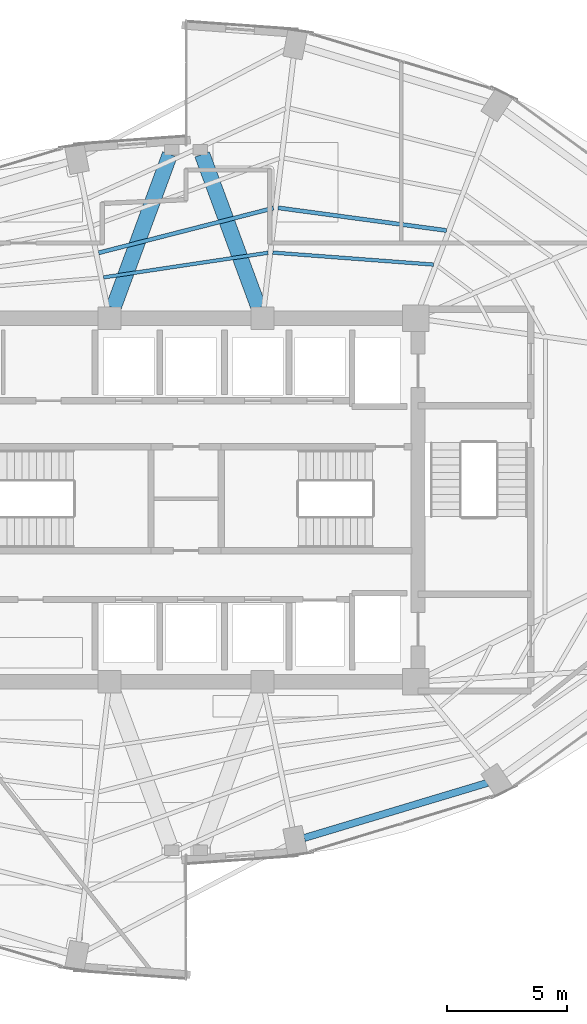
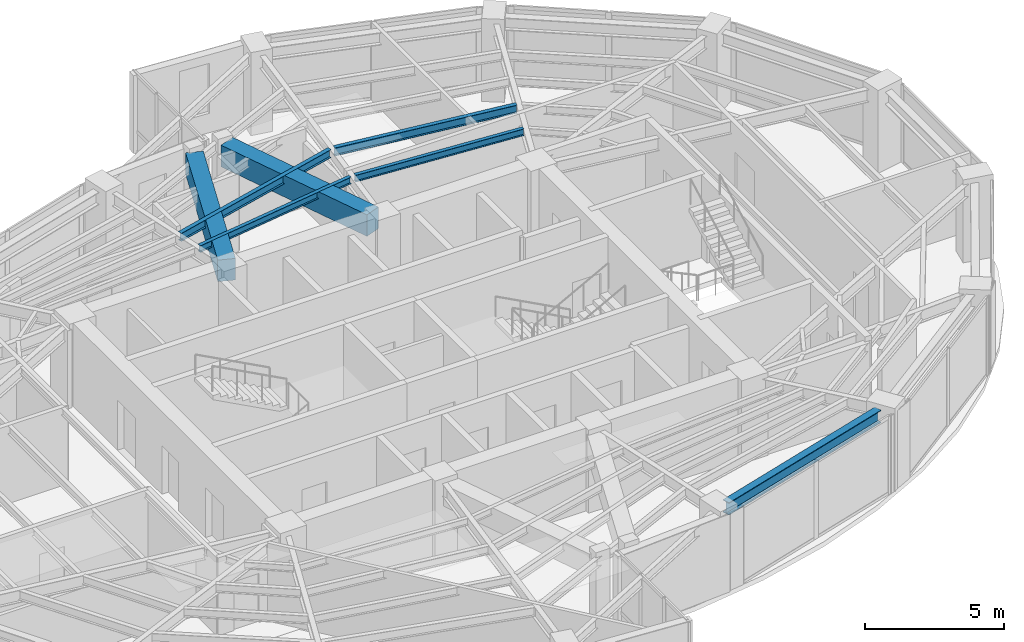
# One storey, part 8 of 20: 7 beams.
"""IFC4 building model written with IfcOpenShell, lengths in metres."""

from ifc_helpers import new_model, si_unit, direction, frame, origin, origin_2d, place, context, subcontext, project, spatial, rectangle, i_section, extrude, material, material_profile, profile_set, type_object, element, save


model = new_model("IFC4")

# Units and contexts
model_context = context("Model", 3, precision=1e-05, world=origin(), true_north=direction((0.0, 1.0)))
body_context = subcontext(model_context, "Body", "Model", "MODEL_VIEW")
ifc_project = project(units=[si_unit("LENGTHUNIT", "METRE"), si_unit("AREAUNIT", "SQUARE_METRE"), si_unit("VOLUMEUNIT", "CUBIC_METRE"), si_unit("PLANEANGLEUNIT", "RADIAN"), si_unit("MASSUNIT", "GRAM", prefix="KILO")], contexts=[model_context])

# Site, building, storey
site_placement = place(None, origin())
site = spatial("IfcSite", under=ifc_project, at=site_placement, CompositionType="ELEMENT")
building_placement = place(site_placement, origin())
building = spatial("IfcBuilding", under=site, at=building_placement, Name="Lazwardi Medical Tower", CompositionType="ELEMENT")
storey_placement = place(building_placement, frame((0.0, 0.0, 152.8798828125)))
storey = spatial("IfcBuildingStorey", under=building, at=storey_placement, Name="L39", CompositionType="ELEMENT", Elevation=152.8798828125)

# Beams
ifc_material_1 = material(Name="Concrete C60/75", Category="concrete")
ifc_material_profile_1 = material_profile(ifc_material_1, rectangle(XDim=0.64990234375, YDim=0.949951171875, at=origin_2d()), Name="RC 650x950")
ifc_profile_set_1 = profile_set([ifc_material_profile_1], Name="Concrete C60/75")
beam_type_1 = type_object("IfcBeamType", Name="BM-CB-RC2", PredefinedType="LINTEL", material=ifc_profile_set_1)
for number, where, z_axis, x_axis, name in (
    (1, (32.959228515625, 36.031494140625, 2.953125), (0.34601281054, 0.938229787921, 0.0), (-0.938229787921, 0.34601281054, 0.0), "Core coupling lintel CB-02 PL1 L39"),
    (2, (39.040771484375, 36.031494140625, 2.953125), (-0.34601281054, 0.938229787921, 0.0), (-0.938229787921, -0.34601281054, 0.0), "Core coupling lintel CB-02 PL2 L39"),
):
    element("IfcBeam", number, at=place(storey_placement, frame(where, z_axis=z_axis, x_axis=x_axis)), inside=storey, type_object=beam_type_1, Name=name, PredefinedType="LINTEL", context=body_context, shape_type="SweptSolid", body=[
        extrude(rectangle(XDim=0.64990234375, YDim=0.949951171875, at=origin_2d()), origin(), (0.0, 0.0, 1.0), 6.84423828125),
    ])
ifc_material_2 = material(Name="Steel S355", Category="steel")
ifc_material_profile_2 = material_profile(ifc_material_2, i_section(OverallWidth=0.300048828125, OverallDepth=0.550048828125, WebThickness=0.014892578125, FlangeThickness=0.029052734375, at=origin_2d()), Name="HEB 550")
ifc_profile_set_2 = profile_set([ifc_material_profile_2], Name="Steel S355")
beam_type_2 = type_object("IfcBeamType", Name="BM-RB-Z3", PredefinedType="BEAM", material=ifc_profile_set_2)
beam_1_placement = place(storey_placement, frame((40.943115234375, 13.866455078125, 3.153076171875), z_axis=(0.957616873483, 0.288045002771, 0.0), x_axis=(-0.288045002771, 0.957616873483, 0.0)))
element("IfcBeam", 3, at=beam_1_placement, inside=storey, type_object=beam_type_2, Name="Ring beam RB-04 B01 L39", PredefinedType="BEAM", context=body_context, shape_type="SweptSolid", body=[
    extrude(i_section(OverallWidth=0.300048828125, OverallDepth=0.550048828125, WebThickness=0.014892578125, FlangeThickness=0.029052734375, at=origin_2d()), origin(), (0.0, 0.0, 1.0), 7.99951171875),
])
ifc_material_profile_3 = material_profile(ifc_material_2, i_section(OverallWidth=0.169921875, OverallDepth=0.360107421875, WebThickness=0.008056640625, FlangeThickness=0.0126953125, at=origin_2d()), Name="IPE 360")
ifc_profile_set_3 = profile_set([ifc_material_profile_3], Name="Steel S355")
beam_type_3 = type_object("IfcBeamType", Name="BM-SJ-02", PredefinedType="JOIST", material=ifc_profile_set_3)
beam_2_placement = place(storey_placement, frame((46.889892578125, 39.269775390625, 3.248046875), z_axis=(-0.991056291961, 0.133444468468, 0.0), x_axis=(-0.133444468468, -0.991056291961, 0.0)))
element("IfcBeam", 4, at=beam_2_placement, inside=storey, type_object=beam_type_3, Name="Secondary joist SJ-02 R3 B07 L39", PredefinedType="JOIST", context=body_context, shape_type="SweptSolid", body=[
    extrude(i_section(OverallWidth=0.169921875, OverallDepth=0.360107421875, WebThickness=0.008056640625, FlangeThickness=0.0126953125, at=origin_2d()), origin(), (0.0, 0.0, 1.0), 7.10400390625),
])
beam_3_placement = place(storey_placement, frame((39.6533203125, 40.206298828125, 3.248046875), z_axis=(-0.96877632572, -0.247936344097, 0.0), x_axis=(0.247936344097, -0.96877632572, 0.0)))
element("IfcBeam", 5, at=beam_3_placement, inside=storey, type_object=beam_type_3, Name="Secondary joist SJ-02 R3 B08 L39", PredefinedType="JOIST", context=body_context, shape_type="SweptSolid", body=[
    extrude(i_section(OverallWidth=0.169921875, OverallDepth=0.360107421875, WebThickness=0.008056640625, FlangeThickness=0.0126953125, at=origin_2d()), origin(), (0.0, 0.0, 1.0), 7.546630859375),
])
ifc_material_profile_4 = material_profile(ifc_material_2, i_section(OverallWidth=0.14990234375, OverallDepth=0.300048828125, WebThickness=0.007080078125, FlangeThickness=0.0107421875, at=origin_2d()), Name="IPE 300")
ifc_profile_set_4 = profile_set([ifc_material_profile_4], Name="Steel S355")
beam_type_4 = type_object("IfcBeamType", Name="BM-SJ-03", PredefinedType="JOIST", material=ifc_profile_set_4)
beam_4_placement = place(storey_placement, frame((46.349609375, 37.843505859375, 3.278076171875), z_axis=(-0.99722699261, 0.074419924822, 0.0), x_axis=(-0.074419924822, -0.99722699261, 0.0)))
element("IfcBeam", 6, at=beam_4_placement, inside=storey, type_object=beam_type_4, Name="Secondary joist SJ-03 R4 B07 L39", PredefinedType="JOIST", context=body_context, shape_type="SweptSolid", body=[
    extrude(i_section(OverallWidth=0.14990234375, OverallDepth=0.300048828125, WebThickness=0.007080078125, FlangeThickness=0.0107421875, at=origin_2d()), origin(), (0.0, 0.0, 1.0), 6.74169921875),
])
beam_5_placement = place(storey_placement, frame((39.42822265625, 38.337890625, 3.278076171875), z_axis=(-0.98897469849, -0.148084589835, 0.0), x_axis=(0.148084589835, -0.98897469849, 0.0)))
element("IfcBeam", 7, at=beam_5_placement, inside=storey, type_object=beam_type_4, Name="Secondary joist SJ-03 R4 B08 L39", PredefinedType="JOIST", context=body_context, shape_type="SweptSolid", body=[
    extrude(i_section(OverallWidth=0.14990234375, OverallDepth=0.300048828125, WebThickness=0.007080078125, FlangeThickness=0.0107421875, at=origin_2d()), origin(), (0.0, 0.0, 1.0), 6.952392578125),
])

save(model, "model.ifc")
